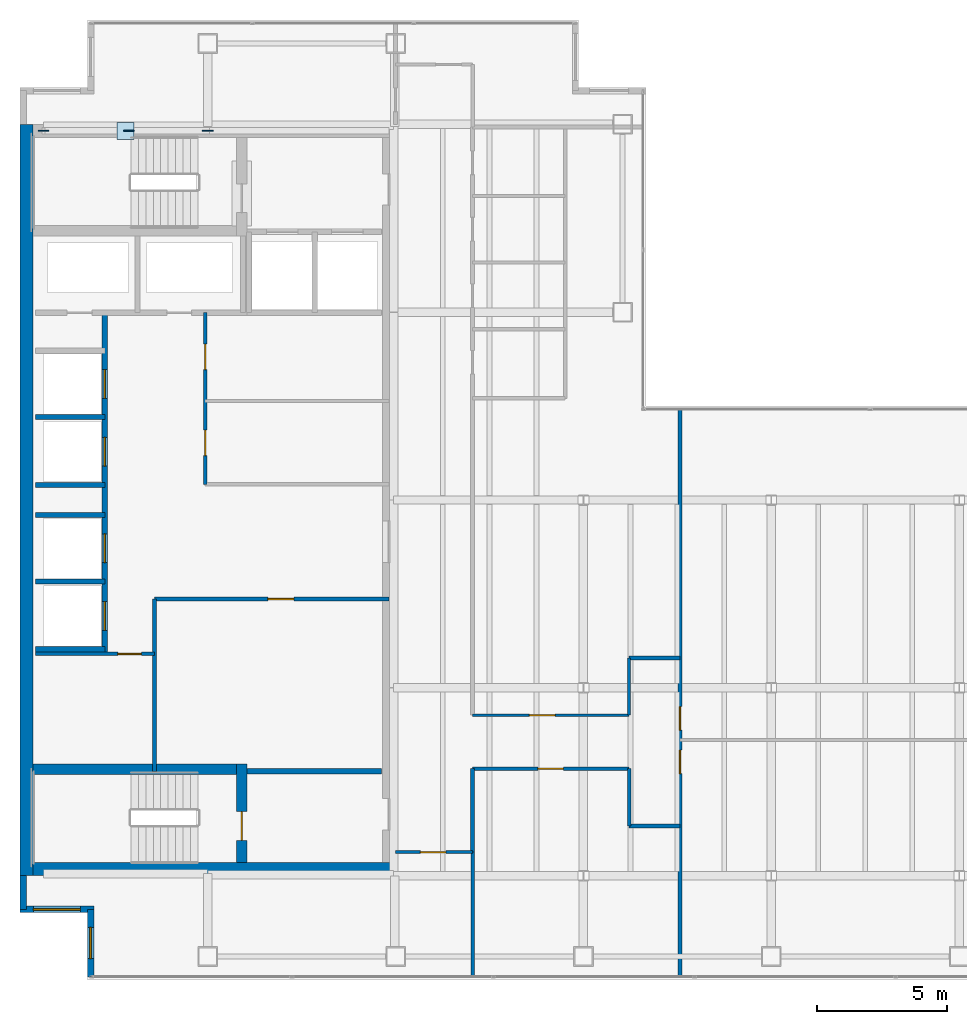
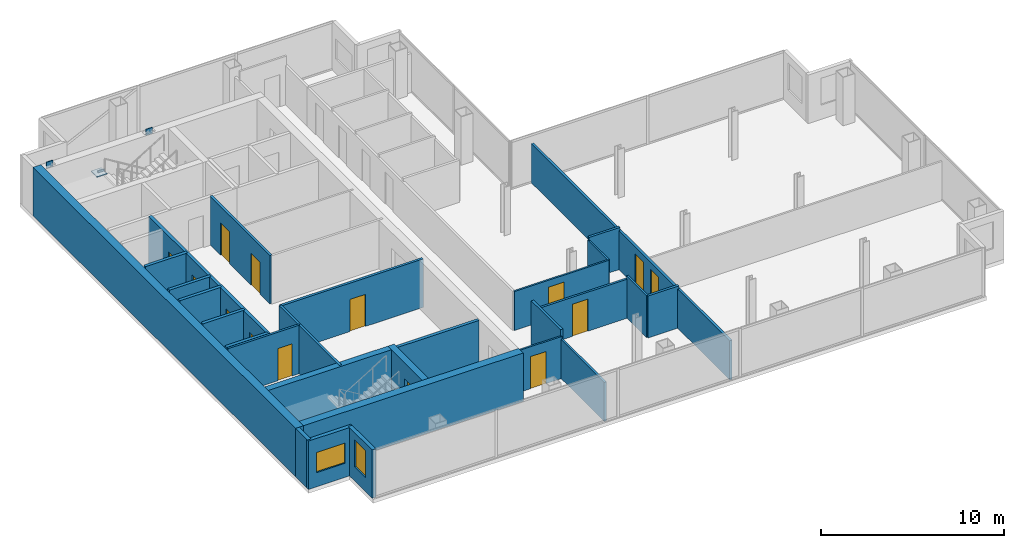
# One storey, part 20 of 23: 28 walls, 14 doors, 4 plates, 2 windows, 16 openings.
"""IFC4 building model written with IfcOpenShell, lengths in metres."""

from ifc_helpers import new_model, si_unit, direction, frame, frame_2d, origin, origin_2d, place, context, subcontext, project, spatial, rectangle, extrude, material, layer, layer_set, type_object, element, fill, save


model = new_model("IFC4")

# Units and contexts
model_context = context("Model", 3, precision=1e-05, world=origin(), true_north=direction((0.0, 1.0)))
body_context = subcontext(model_context, "Body", "Model", "MODEL_VIEW")
ifc_project = project(units=[si_unit("LENGTHUNIT", "METRE"), si_unit("AREAUNIT", "SQUARE_METRE"), si_unit("VOLUMEUNIT", "CUBIC_METRE"), si_unit("PLANEANGLEUNIT", "RADIAN"), si_unit("MASSUNIT", "GRAM", prefix="KILO")], contexts=[model_context])

# Site, building, storey
site_placement = place(None, origin())
site = spatial("IfcSite", under=ifc_project, at=site_placement, CompositionType="ELEMENT")
building_placement = place(site_placement, origin())
building = spatial("IfcBuilding", under=site, at=building_placement, Name="Cobrela Telecom Tower", CompositionType="ELEMENT")
storey_placement = place(building_placement, frame((0.0, 0.0, 204.75)))
storey = spatial("IfcBuildingStorey", under=building, at=storey_placement, Name="L52", CompositionType="ELEMENT", Elevation=204.75)

# Plates
ifc_material_1 = material(Name="Steel ASTM A572 Grade 50", Category="steel")
ifc_layer_1 = layer(ifc_material_1, 0.0419921875)
ifc_layer_set_1 = layer_set([ifc_layer_1], Name="Steel ASTM A572 Grade 50")
plate_type = type_object("IfcPlateType", Name="PLT-NODE-ND1", PredefinedType="USERDEFINED", material=ifc_layer_set_1)
for number, where, z_axis, x_axis, name in (
    (1, (7.199951171875, 35.75, 3.0751953125), (0.0, 0.0, 1.0), (1.0, 0.0, 0.0), "Steel node plate PLT-MBR-EXO-L52-N1-A-1"),
    (2, (4.173828125, 35.75, 1.349609375), (0.0, 0.0, 1.0), (-1.0, 0.0, 0.0), "Steel node plate PLT-MBR-EXO-L52-N1-B1-1"),
    (3, (0.89990234375, 35.75, 3.0751953125), (0.0, 0.0, 1.0), (-1.0, 0.0, 0.0), "Steel node plate PLT-MBR-EXO-L52-N1-B2-1"),
):
    element("IfcPlate", number, at=place(storey_placement, frame(where, z_axis=z_axis, x_axis=x_axis)), inside=storey, type_object=plate_type, Name=name, ObjectType="GUSSET PLATE", PredefinedType="USERDEFINED", context=body_context, shape_type="SweptSolid", body=[
        extrude(rectangle(XDim=0.409912109375, YDim=0.044921875, at=origin_2d()), origin(), (0.0, 0.0, 1.0), 0.409912109375),
    ])
plate_placement = place(storey_placement, frame((4.050048828125, 35.75, 1.59765625), z_axis=(0.0, 0.0, 1.0), x_axis=(1.0, 0.0, 0.0)))
element("IfcPlate", 4, at=plate_placement, inside=storey, type_object=plate_type, Name="L52 Core Flange Steel X-Brace Central X-Crossing Gusset Plate", ObjectType="GUSSET PLATE", PredefinedType="USERDEFINED", context=body_context, shape_type="SweptSolid", body=[
    extrude(rectangle(XDim=0.64990234375, YDim=0.64990234375, at=origin_2d()), origin(), (0.0, 0.0, 1.0), 0.044921875),
])

# Walls
ifc_material_2 = material(Name="Concrete C40/50", Category="concrete")
ifc_layer_2 = layer(ifc_material_2, 0.5)
ifc_layer_set_2 = layer_set([ifc_layer_2], Name="Concrete C40/50")
wall_type_1 = type_object("IfcWallType", Name="WALL-CORE-C40-500", PredefinedType="SHEAR", material=ifc_layer_set_2)
wall_1_placement = place(storey_placement, frame((0.25, 7.199951171875, 0.0), z_axis=(0.0, 0.0, 1.0), x_axis=(0.0, 1.0, 0.0)))
element("IfcWall", 5, at=wall_1_placement, inside=storey, type_object=wall_type_1, Name="L52 West Core Shear Wall", PredefinedType="SHEAR", context=body_context, shape_type="SweptSolid", body=[
    extrude(rectangle(XDim=28.800048828125, YDim=0.5, at=frame_2d((14.39990234375, 0.0))), origin(), (0.0, 0.0, 1.0), 3.239990234375),
])
wall_2_placement = place(storey_placement, frame((0.5, 7.449951171875, 0.0), z_axis=(0.0, 0.0, 1.0), x_axis=(1.0, 0.0, 0.0)))
element("IfcWall", 6, at=wall_2_placement, inside=storey, type_object=wall_type_1, Name="L52 South Core Shear Wall", PredefinedType="SHEAR", context=body_context, shape_type="SweptSolid", body=[
    extrude(rectangle(XDim=13.89990234375, YDim=0.5, at=frame_2d((6.949951171875, 0.0))), origin(), (0.0, 0.0, 1.0), 3.239990234375),
])

# Wall, opening, window
ifc_layer_3 = layer(ifc_material_2, 0.239990234375)
ifc_layer_set_3 = layer_set([ifc_layer_3], Name="Concrete C40/50")
wall_type_2 = type_object("IfcWallType", Name="WALL-EXT-300", PredefinedType="STANDARD", material=ifc_layer_set_3)
wall_3_placement = place(storey_placement, frame((2.7099609375, 3.320068359375, 0.0), z_axis=(0.0, 0.0, 1.0), x_axis=(0.0, 1.0, 0.0)))
wall_3 = element("IfcWall", 7, at=wall_3_placement, inside=storey, type_object=wall_type_2, Name="L52 Insulated Facade Wall 01", PredefinedType="STANDARD", context=body_context, shape_type="SweptSolid", body=[
    extrude(rectangle(XDim=2.58984375, YDim=0.239990234375, at=frame_2d((1.294921875, 0.0))), origin(), (0.0, 0.0, 1.0), 3.239990234375),
])
opening_1_placement = place(wall_3_placement, frame((0.695068359375, 0.0, 0.949951171875)))
opening_1 = element("IfcOpeningElement", 8, at=opening_1_placement, cuts=wall_3, Name="Opening WN-19", PredefinedType="OPENING", context=body_context, shape_type="SweptSolid", body=[
    extrude(rectangle(XDim=1.199951171875, YDim=1.800048828125, at=frame_2d((0.60009765625, 0.89990234375))), frame((0.0, 0.1318359375, 0.0), z_axis=(0.0, -1.0, 0.0), x_axis=(1.0, 0.0, 0.0)), (0.0, 0.0, 1.0), 0.263916015625),
])
ifc_material_3 = material(Name="Solar-Control Bronze Low-E Glass", Category="glass")
window_type_1 = type_object("IfcWindowType", Name="WIN-MOD-1200", PartitioningType="SINGLE_PANEL", PredefinedType="WINDOW", material=ifc_material_3)
window_1_placement = place(opening_1_placement, origin())
window_1 = element("IfcWindow", 9, at=window_1_placement, inside=storey, type_object=window_type_1, Name="L52 Corner Notch Facade Window 249", OverallHeight=1.800048828125, OverallWidth=1.199951171875, PartitioningType="SINGLE_PANEL", PredefinedType="WINDOW", context=body_context, shape_type="SweptSolid", body=[
    extrude(rectangle(XDim=1.199951171875, YDim=1.800048828125, at=frame_2d((0.60009765625, 0.89990234375))), frame((0.0, 0.030029296875, 0.0), z_axis=(0.0, -1.0, 0.0), x_axis=(1.0, 0.0, 0.0)), (0.0, 0.0, 1.0), 0.06005859375),
])
fill(opening_1, window_1)

wall_4_placement = place(storey_placement, frame((2.830078125, 5.909912109375, 0.0), z_axis=(0.0, 0.0, 1.0), x_axis=(-1.0, 0.0, 0.0)))
wall_4 = element("IfcWall", 10, at=wall_4_placement, inside=storey, type_object=wall_type_2, Name="L52 Insulated Facade Wall 02", PredefinedType="STANDARD", context=body_context, shape_type="SweptSolid", body=[
    extrude(rectangle(XDim=2.830078125, YDim=0.239990234375, at=frame_2d((1.4150390625, 0.0))), origin(), (0.0, 0.0, 1.0), 3.239990234375),
])
opening_2_placement = place(wall_4_placement, frame((0.514892578125, 0.0, 0.949951171875)))
opening_2 = element("IfcOpeningElement", 11, at=opening_2_placement, cuts=wall_4, Name="Opening WN-27", PredefinedType="OPENING", context=body_context, shape_type="SweptSolid", body=[
    extrude(rectangle(XDim=1.800048828125, YDim=1.35009765625, at=frame_2d((0.89990234375, 0.675048828125))), frame((0.0, 0.1318359375, 0.0), z_axis=(0.0, -1.0, 0.0), x_axis=(1.0, 0.0, 0.0)), (0.0, 0.0, 1.0), 0.263916015625),
])
window_type_2 = type_object("IfcWindowType", Name="WIN-CLER-1800", PartitioningType="SINGLE_PANEL", PredefinedType="WINDOW", material=ifc_material_3)
window_2_placement = place(opening_2_placement, origin())
window_2 = element("IfcWindow", 12, at=window_2_placement, inside=storey, type_object=window_type_2, Name="L52 Corner Notch Facade Window 250", OverallHeight=1.35009765625, OverallWidth=1.800048828125, PartitioningType="SINGLE_PANEL", PredefinedType="WINDOW", context=body_context, shape_type="SweptSolid", body=[
    extrude(rectangle(XDim=1.800048828125, YDim=1.35009765625, at=frame_2d((0.89990234375, 0.675048828125))), frame((0.0, 0.030029296875, 0.0), z_axis=(0.0, -1.0, 0.0), x_axis=(1.0, 0.0, 0.0)), (0.0, 0.0, 1.0), 0.06005859375),
])
fill(opening_2, window_2)

# Wall
wall_5_placement = place(storey_placement, frame((0.1201171875, 5.909912109375, 0.0), z_axis=(0.0, 0.0, 1.0), x_axis=(0.0, 1.0, 0.0)))
element("IfcWall", 13, at=wall_5_placement, inside=storey, type_object=wall_type_2, Name="L52 Insulated Facade Wall 03", PredefinedType="STANDARD", context=body_context, shape_type="SweptSolid", body=[
    extrude(rectangle(XDim=1.2900390625, YDim=0.239990234375, at=frame_2d((0.64501953125, 0.0))), origin(), (0.0, 0.0, 1.0), 3.239990234375),
])

# Wall, opening, door
ifc_material_4 = material(Name="Fire-Rated Gypsum Plasterboard")
ifc_layer_4 = layer(ifc_material_4, 0.110107421875)
ifc_layer_set_4 = layer_set([ifc_layer_4], Name="Fire-Rated Gypsum Plasterboard")
wall_type_3 = type_object("IfcWallType", Name="WALL-PART-110", PredefinedType="PARTITIONING", material=ifc_layer_set_4)
wall_6_placement = place(storey_placement, frame((14.39990234375, 8.10009765625, 0.0), z_axis=(0.0, 0.0, 1.0), x_axis=(1.0, 0.0, 0.0)))
wall_6 = element("IfcWall", 14, at=wall_6_placement, inside=storey, type_object=wall_type_3, Name="L52 Interior Partition W-C-S0", PredefinedType="PARTITIONING", context=body_context, shape_type="SweptSolid", body=[
    extrude(rectangle(XDim=2.9501953125, YDim=0.110107421875, at=frame_2d((1.47509765625, 0.0))), origin(), (0.0, 0.0, 1.0), 2.80810546875),
])
opening_3_placement = place(wall_6_placement, frame((0.949951171875, 0.0, 0.0)))
opening_3 = element("IfcOpeningElement", 15, at=opening_3_placement, cuts=wall_6, Name="Opening DR-17", PredefinedType="OPENING", context=body_context, shape_type="SweptSolid", body=[
    extrude(rectangle(XDim=0.97998046875, YDim=2.14990234375, at=frame_2d((0.489990234375, 1.074951171875))), frame((0.0, 0.06689453125, 0.0), z_axis=(0.0, -1.0, 0.0), x_axis=(1.0, 0.0, 0.0)), (0.0, 0.0, 1.0), 0.134033203125),
])
ifc_material_5 = material(Name="Solid Engineered Oak Timber", Category="wood")
door_type_1 = type_object("IfcDoorType", Name="DOOR-INT-980", OperationType="SINGLE_SWING_LEFT", PredefinedType="DOOR", material=ifc_material_5)
door_1_placement = place(opening_3_placement, origin())
door_1 = element("IfcDoor", 16, at=door_1_placement, inside=storey, type_object=door_type_1, Name="L52 Door DR-17", OperationType="SINGLE_SWING_RIGHT", OverallHeight=2.14990234375, OverallWidth=0.97998046875, PredefinedType="DOOR", context=body_context, shape_type="SweptSolid", body=[
    extrude(rectangle(XDim=0.97998046875, YDim=2.14990234375, at=frame_2d((0.489990234375, 1.074951171875))), frame((0.0, 0.02490234375, 0.0), z_axis=(0.0, -1.0, 0.0), x_axis=(1.0, 0.0, 0.0)), (0.0, 0.0, 1.0), 0.050048828125),
])
fill(opening_3, door_1)

wall_7_placement = place(storey_placement, frame((17.35009765625, 13.35009765625, 0.0), z_axis=(0.0, 0.0, 1.0), x_axis=(1.0, 0.0, 0.0)))
wall_7 = element("IfcWall", 17, at=wall_7_placement, inside=storey, type_object=wall_type_3, Name="L52 Interior Partition W-C-HN", PredefinedType="PARTITIONING", context=body_context, shape_type="SweptSolid", body=[
    extrude(rectangle(XDim=6.0, YDim=0.110107421875, at=frame_2d((3.0, 0.0))), origin(), (0.0, 0.0, 1.0), 2.613037109375),
])
opening_4_placement = place(wall_7_placement, frame((2.179931640625, 0.0, 0.0)))
opening_4 = element("IfcOpeningElement", 18, at=opening_4_placement, cuts=wall_7, Name="Opening DR-17", PredefinedType="OPENING", context=body_context, shape_type="SweptSolid", body=[
    extrude(rectangle(XDim=0.97998046875, YDim=2.14990234375, at=frame_2d((0.489990234375, 1.074951171875))), frame((0.0, 0.06689453125, 0.0), z_axis=(0.0, -1.0, 0.0), x_axis=(1.0, 0.0, 0.0)), (0.0, 0.0, 1.0), 0.134033203125),
])
door_2_placement = place(opening_4_placement, origin())
door_2 = element("IfcDoor", 19, at=door_2_placement, inside=storey, type_object=door_type_1, Name="L52 Door DR-17", OperationType="SINGLE_SWING_LEFT", OverallHeight=2.14990234375, OverallWidth=0.97998046875, PredefinedType="DOOR", context=body_context, shape_type="SweptSolid", body=[
    extrude(rectangle(XDim=0.97998046875, YDim=2.14990234375, at=frame_2d((0.489990234375, 1.074951171875))), frame((0.0, 0.02490234375, 0.0), z_axis=(0.0, -1.0, 0.0), x_axis=(1.0, 0.0, 0.0)), (0.0, 0.0, 1.0), 0.050048828125),
])
fill(opening_4, door_2)

# Wall
wall_8_placement = place(storey_placement, frame((23.35009765625, 13.35009765625, 0.0), z_axis=(0.0, 0.0, 1.0), x_axis=(0.0, 1.0, 0.0)))
element("IfcWall", 20, at=wall_8_placement, inside=storey, type_object=wall_type_3, Name="L52 Interior Partition W-CT-JW2", PredefinedType="PARTITIONING", context=body_context, shape_type="SweptSolid", body=[
    extrude(rectangle(XDim=2.199951171875, YDim=0.110107421875, at=frame_2d((1.10009765625, 0.0))), origin(), (0.0, 0.0, 1.0), 2.613037109375),
])

# Wall, opening, door
ifc_layer_5 = layer(ifc_material_4, 0.135009765625)
ifc_layer_set_5 = layer_set([ifc_layer_5], Name="Fire-Rated Gypsum Plasterboard")
wall_type_4 = type_object("IfcWallType", Name="WALL-PART-135", PredefinedType="PARTITIONING", material=ifc_layer_set_5)
wall_9_placement = place(storey_placement, frame((0.60009765625, 15.699951171875, 0.0), z_axis=(0.0, 0.0, 1.0), x_axis=(1.0, 0.0, 0.0)))
wall_9 = element("IfcWall", 21, at=wall_9_placement, inside=storey, type_object=wall_type_4, Name="L52 Interior Partition CW-FLEX-N", PredefinedType="PARTITIONING", context=body_context, shape_type="SweptSolid", body=[
    extrude(rectangle(XDim=4.5498046875, YDim=0.135009765625, at=frame_2d((2.27490234375, 0.0))), origin(), (0.0, 0.0, 1.0), 3.239990234375),
])
opening_5_placement = place(wall_9_placement, frame((3.14990234375, 0.0, 0.0)))
opening_5 = element("IfcOpeningElement", 22, at=opening_5_placement, cuts=wall_9, Name="Opening DR-41", PredefinedType="OPENING", context=body_context, shape_type="SweptSolid", body=[
    extrude(rectangle(XDim=0.89990234375, YDim=2.14990234375, at=frame_2d((0.449951171875, 1.074951171875))), frame((0.0, 0.07958984375, 0.0), z_axis=(0.0, -1.0, 0.0), x_axis=(1.0, 0.0, 0.0)), (0.0, 0.0, 1.0), 0.158935546875),
])
door_type_2 = type_object("IfcDoorType", Name="DOOR-INT-900", OperationType="SINGLE_SWING_LEFT", PredefinedType="DOOR", material=ifc_material_5)
door_3_placement = place(opening_5_placement, origin())
door_3 = element("IfcDoor", 23, at=door_3_placement, inside=storey, type_object=door_type_2, Name="L52 Door DR-41", OperationType="SINGLE_SWING_LEFT", OverallHeight=2.14990234375, OverallWidth=0.89990234375, PredefinedType="DOOR", context=body_context, shape_type="SweptSolid", body=[
    extrude(rectangle(XDim=0.89990234375, YDim=2.14990234375, at=frame_2d((0.449951171875, 1.074951171875))), frame((0.0, 0.02490234375, 0.0), z_axis=(0.0, -1.0, 0.0), x_axis=(1.0, 0.0, 0.0)), (0.0, 0.0, 1.0), 0.050048828125),
])
fill(opening_5, door_3)

wall_10_placement = place(storey_placement, frame((17.35009765625, 11.300048828125, 0.0), z_axis=(0.0, 0.0, 1.0), x_axis=(1.0, 0.0, 0.0)))
wall_10 = element("IfcWall", 24, at=wall_10_placement, inside=storey, type_object=wall_type_4, Name="L52 Interior Partition W-C-HS", PredefinedType="PARTITIONING", context=body_context, shape_type="SweptSolid", body=[
    extrude(rectangle(XDim=6.0, YDim=0.135009765625, at=frame_2d((3.0, 0.0))), origin(), (0.0, 0.0, 1.0), 2.613037109375),
])
opening_6_placement = place(wall_10_placement, frame((2.5, 0.0, 0.0)))
opening_6 = element("IfcOpeningElement", 25, at=opening_6_placement, cuts=wall_10, Name="Opening DR-17", PredefinedType="OPENING", context=body_context, shape_type="SweptSolid", body=[
    extrude(rectangle(XDim=0.97998046875, YDim=2.14990234375, at=frame_2d((0.489990234375, 1.074951171875))), frame((0.0, 0.07958984375, 0.0), z_axis=(0.0, -1.0, 0.0), x_axis=(1.0, 0.0, 0.0)), (0.0, 0.0, 1.0), 0.158935546875),
])
door_4_placement = place(opening_6_placement, origin())
door_4 = element("IfcDoor", 26, at=door_4_placement, inside=storey, type_object=door_type_1, Name="L52 Door DR-17", OperationType="SINGLE_SWING_LEFT", OverallHeight=2.14990234375, OverallWidth=0.97998046875, PredefinedType="DOOR", context=body_context, shape_type="SweptSolid", body=[
    extrude(rectangle(XDim=0.97998046875, YDim=2.14990234375, at=frame_2d((0.489990234375, 1.074951171875))), frame((0.0, 0.02490234375, 0.0), z_axis=(0.0, -1.0, 0.0), x_axis=(1.0, 0.0, 0.0)), (0.0, 0.0, 1.0), 0.050048828125),
])
fill(opening_6, door_4)

# Walls
wall_11_placement = place(storey_placement, frame((23.35009765625, 9.10009765625, 0.0), z_axis=(0.0, 0.0, 1.0), x_axis=(0.0, 1.0, 0.0)))
element("IfcWall", 27, at=wall_11_placement, inside=storey, type_object=wall_type_4, Name="L52 Interior Partition W-CT-JW1", PredefinedType="PARTITIONING", context=body_context, shape_type="SweptSolid", body=[
    extrude(rectangle(XDim=2.199951171875, YDim=0.135009765625, at=frame_2d((1.10009765625, 0.0))), origin(), (0.0, 0.0, 1.0), 2.80810546875),
])
wall_12_placement = place(storey_placement, frame((17.35009765625, 3.320068359375, 0.0), z_axis=(0.0, 0.0, 1.0), x_axis=(0.0, 1.0, 0.0)))
element("IfcWall", 28, at=wall_12_placement, inside=storey, type_object=wall_type_4, Name="L52 Interior Partition W-SW-E", PredefinedType="PARTITIONING", context=body_context, shape_type="SweptSolid", body=[
    extrude(rectangle(XDim=4.780029296875, YDim=0.135009765625, at=frame_2d((2.39013671875, 0.0))), origin(), (0.0, 0.0, 1.0), 2.613037109375),
])

# Wall, openings, doors
ifc_layer_6 = layer(ifc_material_4, 0.14990234375)
ifc_layer_set_6 = layer_set([ifc_layer_6], Name="Fire-Rated Gypsum Plasterboard")
wall_type_5 = type_object("IfcWallType", Name="WALL-PART-150", PredefinedType="PARTITIONING", material=ifc_layer_set_6)
wall_13_placement = place(storey_placement, frame((7.10009765625, 22.199951171875, 0.0), z_axis=(0.0, 0.0, 1.0), x_axis=(0.0, 1.0, 0.0)))
wall_13 = element("IfcWall", 29, at=wall_13_placement, inside=storey, type_object=wall_type_5, Name="L52 Interior Partition CW-RECL-W", PredefinedType="PARTITIONING", context=body_context, shape_type="SweptSolid", body=[
    extrude(rectangle(XDim=6.580078125, YDim=0.14990234375, at=frame_2d((3.2900390625, 0.0))), origin(), (0.0, 0.0, 1.0), 3.239990234375),
])
opening_7_placement = place(wall_13_placement, frame((1.10009765625, 0.0, 0.0)))
opening_7 = element("IfcOpeningElement", 30, at=opening_7_placement, cuts=wall_13, Name="Opening DR-17", PredefinedType="OPENING", context=body_context, shape_type="SweptSolid", body=[
    extrude(rectangle(XDim=0.97998046875, YDim=2.14990234375, at=frame_2d((0.489990234375, 1.074951171875))), frame((0.0, 0.0869140625, 0.0), z_axis=(0.0, -1.0, 0.0), x_axis=(1.0, 0.0, 0.0)), (0.0, 0.0, 1.0), 0.173828125),
])
opening_8_placement = place(wall_13_placement, frame((4.39990234375, 0.0, 0.0)))
opening_8 = element("IfcOpeningElement", 31, at=opening_8_placement, cuts=wall_13, Name="Opening DR-17", PredefinedType="OPENING", context=body_context, shape_type="SweptSolid", body=[
    extrude(rectangle(XDim=0.97998046875, YDim=2.14990234375, at=frame_2d((0.489990234375, 1.074951171875))), frame((0.0, 0.0869140625, 0.0), z_axis=(0.0, -1.0, 0.0), x_axis=(1.0, 0.0, 0.0)), (0.0, 0.0, 1.0), 0.173828125),
])
door_5_placement = place(opening_7_placement, origin())
door_5 = element("IfcDoor", 32, at=door_5_placement, inside=storey, type_object=door_type_1, Name="L52 Door DR-17", OperationType="SINGLE_SWING_RIGHT", OverallHeight=2.14990234375, OverallWidth=0.97998046875, PredefinedType="DOOR", context=body_context, shape_type="SweptSolid", body=[
    extrude(rectangle(XDim=0.97998046875, YDim=2.14990234375, at=frame_2d((0.489990234375, 1.074951171875))), frame((0.0, 0.02490234375, 0.0), z_axis=(0.0, -1.0, 0.0), x_axis=(1.0, 0.0, 0.0)), (0.0, 0.0, 1.0), 0.050048828125),
])
fill(opening_7, door_5)
door_6_placement = place(opening_8_placement, origin())
door_6 = element("IfcDoor", 33, at=door_6_placement, inside=storey, type_object=door_type_1, Name="L52 Door DR-17", OperationType="SINGLE_SWING_LEFT", OverallHeight=2.14990234375, OverallWidth=0.97998046875, PredefinedType="DOOR", context=body_context, shape_type="SweptSolid", body=[
    extrude(rectangle(XDim=0.97998046875, YDim=2.14990234375, at=frame_2d((0.489990234375, 1.074951171875))), frame((0.0, 0.02490234375, 0.0), z_axis=(0.0, -1.0, 0.0), x_axis=(1.0, 0.0, 0.0)), (0.0, 0.0, 1.0), 0.050048828125),
])
fill(opening_8, door_6)

# Walls
wall_14_placement = place(storey_placement, frame((5.14990234375, 11.199951171875, 0.0), z_axis=(0.0, 0.0, 1.0), x_axis=(0.0, 1.0, 0.0)))
element("IfcWall", 34, at=wall_14_placement, inside=storey, type_object=wall_type_5, Name="L52 Interior Partition CW-RECM-W", PredefinedType="PARTITIONING", context=body_context, shape_type="SweptSolid", body=[
    extrude(rectangle(XDim=6.60009765625, YDim=0.14990234375, at=frame_2d((3.300048828125, 0.0))), origin(), (0.0, 0.0, 1.0), 3.239990234375),
])
wall_15_placement = place(storey_placement, frame((23.35009765625, 15.550048828125, 0.0), z_axis=(0.0, 0.0, 1.0), x_axis=(1.0, 0.0, 0.0)))
element("IfcWall", 35, at=wall_15_placement, inside=storey, type_object=wall_type_5, Name="L52 Interior Partition W-CT-N", PredefinedType="PARTITIONING", context=body_context, shape_type="SweptSolid", body=[
    extrude(rectangle(XDim=1.949951171875, YDim=0.14990234375, at=frame_2d((0.97509765625, 0.0))), origin(), (0.0, 0.0, 1.0), 2.80810546875),
])

# Wall, opening, door
ifc_layer_7 = layer(ifc_material_4, 0.159912109375)
ifc_layer_set_7 = layer_set([ifc_layer_7], Name="Fire-Rated Gypsum Plasterboard")
wall_type_6 = type_object("IfcWallType", Name="WALL-PART-160", PredefinedType="PARTITIONING", material=ifc_layer_set_7)
wall_16_placement = place(storey_placement, frame((5.14990234375, 17.800048828125, 0.0), z_axis=(0.0, 0.0, 1.0), x_axis=(1.0, 0.0, 0.0)))
wall_16 = element("IfcWall", 36, at=wall_16_placement, inside=storey, type_object=wall_type_6, Name="L52 Interior Partition CW-RECM-N", PredefinedType="PARTITIONING", context=body_context, shape_type="SweptSolid", body=[
    extrude(rectangle(XDim=9.0, YDim=0.159912109375, at=frame_2d((4.5, 0.0))), origin(), (0.0, 0.0, 1.0), 3.239990234375),
])
opening_9_placement = place(wall_16_placement, frame((4.35009765625, 0.0, 0.0)))
opening_9 = element("IfcOpeningElement", 37, at=opening_9_placement, cuts=wall_16, Name="Opening DR-31", PredefinedType="OPENING", context=body_context, shape_type="SweptSolid", body=[
    extrude(rectangle(XDim=1.0, YDim=2.14990234375, at=frame_2d((0.5, 1.074951171875))), frame((0.0, 0.091796875, 0.0), z_axis=(0.0, -1.0, 0.0), x_axis=(1.0, 0.0, 0.0)), (0.0, 0.0, 1.0), 0.183837890625),
])
door_type_3 = type_object("IfcDoorType", Name="DOOR-INT-1000", OperationType="SINGLE_SWING_LEFT", PredefinedType="DOOR", material=ifc_material_5)
door_7_placement = place(opening_9_placement, origin())
door_7 = element("IfcDoor", 38, at=door_7_placement, inside=storey, type_object=door_type_3, Name="L52 Door DR-31", OperationType="SINGLE_SWING_LEFT", OverallHeight=2.14990234375, OverallWidth=1.0, PredefinedType="DOOR", context=body_context, shape_type="SweptSolid", body=[
    extrude(rectangle(XDim=1.0, YDim=2.14990234375, at=frame_2d((0.5, 1.074951171875))), frame((0.0, 0.02490234375, 0.0), z_axis=(0.0, -1.0, 0.0), x_axis=(1.0, 0.0, 0.0)), (0.0, 0.0, 1.0), 0.050048828125),
])
fill(opening_9, door_7)

# Walls
wall_17_placement = place(storey_placement, frame((17.35009765625, 8.10009765625, 0.0), z_axis=(0.0, 0.0, 1.0), x_axis=(0.0, 1.0, 0.0)))
element("IfcWall", 39, at=wall_17_placement, inside=storey, type_object=wall_type_6, Name="L52 Interior Partition W-C-E1", PredefinedType="PARTITIONING", context=body_context, shape_type="SweptSolid", body=[
    extrude(rectangle(XDim=3.199951171875, YDim=0.159912109375, at=frame_2d((1.60009765625, 0.0))), origin(), (0.0, 0.0, 1.0), 3.239990234375),
])
wall_18_placement = place(storey_placement, frame((23.35009765625, 9.10009765625, 0.0), z_axis=(0.0, 0.0, 1.0), x_axis=(1.0, 0.0, 0.0)))
element("IfcWall", 40, at=wall_18_placement, inside=storey, type_object=wall_type_6, Name="L52 Interior Partition W-CT-S", PredefinedType="PARTITIONING", context=body_context, shape_type="SweptSolid", body=[
    extrude(rectangle(XDim=1.949951171875, YDim=0.159912109375, at=frame_2d((0.97509765625, 0.0))), origin(), (0.0, 0.0, 1.0), 2.80810546875),
])

# Wall, openings, doors
wall_19_placement = place(storey_placement, frame((25.300048828125, 3.320068359375, 0.0), z_axis=(0.0, 0.0, 1.0), x_axis=(0.0, 1.0, 0.0)))
wall_19 = element("IfcWall", 41, at=wall_19_placement, inside=storey, type_object=wall_type_6, Name="L52 Interior Partition W-C-END", PredefinedType="PARTITIONING", context=body_context, shape_type="SweptSolid", body=[
    extrude(rectangle(XDim=21.760009765625, YDim=0.159912109375, at=frame_2d((10.8798828125, 0.0))), origin(), (0.0, 0.0, 1.0), 2.613037109375),
])
opening_10_placement = place(wall_19_placement, frame((7.7900390625, 0.0, 0.0)))
opening_10 = element("IfcOpeningElement", 42, at=opening_10_placement, cuts=wall_19, Name="Opening DR-41", PredefinedType="OPENING", context=body_context, shape_type="SweptSolid", body=[
    extrude(rectangle(XDim=0.89990234375, YDim=2.14990234375, at=frame_2d((0.449951171875, 1.074951171875))), frame((0.0, 0.091796875, 0.0), z_axis=(0.0, -1.0, 0.0), x_axis=(1.0, 0.0, 0.0)), (0.0, 0.0, 1.0), 0.183837890625),
])
opening_11_placement = place(wall_19_placement, frame((9.4599609375, 0.0, 0.0)))
opening_11 = element("IfcOpeningElement", 43, at=opening_11_placement, cuts=wall_19, Name="Opening DR-41", PredefinedType="OPENING", context=body_context, shape_type="SweptSolid", body=[
    extrude(rectangle(XDim=0.89990234375, YDim=2.14990234375, at=frame_2d((0.449951171875, 1.074951171875))), frame((0.0, 0.091796875, 0.0), z_axis=(0.0, -1.0, 0.0), x_axis=(1.0, 0.0, 0.0)), (0.0, 0.0, 1.0), 0.183837890625),
])
door_8_placement = place(opening_10_placement, origin())
door_8 = element("IfcDoor", 44, at=door_8_placement, inside=storey, type_object=door_type_2, Name="L52 Door DR-41", OperationType="SINGLE_SWING_LEFT", OverallHeight=2.14990234375, OverallWidth=0.89990234375, PredefinedType="DOOR", context=body_context, shape_type="SweptSolid", body=[
    extrude(rectangle(XDim=0.89990234375, YDim=2.14990234375, at=frame_2d((0.449951171875, 1.074951171875))), frame((0.0, 0.02490234375, 0.0), z_axis=(0.0, -1.0, 0.0), x_axis=(1.0, 0.0, 0.0)), (0.0, 0.0, 1.0), 0.050048828125),
])
fill(opening_10, door_8)
door_9_placement = place(opening_11_placement, origin())
door_9 = element("IfcDoor", 45, at=door_9_placement, inside=storey, type_object=door_type_2, Name="L52 Door DR-41", OperationType="SINGLE_SWING_RIGHT", OverallHeight=2.14990234375, OverallWidth=0.89990234375, PredefinedType="DOOR", context=body_context, shape_type="SweptSolid", body=[
    extrude(rectangle(XDim=0.89990234375, YDim=2.14990234375, at=frame_2d((0.449951171875, 1.074951171875))), frame((0.0, 0.02490234375, 0.0), z_axis=(0.0, -1.0, 0.0), x_axis=(1.0, 0.0, 0.0)), (0.0, 0.0, 1.0), 0.050048828125),
])
fill(opening_11, door_9)

# Wall
ifc_layer_8 = layer(ifc_material_4, 0.199951171875)
ifc_layer_set_8 = layer_set([ifc_layer_8], Name="Fire-Rated Gypsum Plasterboard")
wall_type_7 = type_object("IfcWallType", Name="WALL-SHAFT-200", PredefinedType="PARTITIONING", material=ifc_layer_set_8)
wall_20_placement = place(storey_placement, frame((8.699951171875, 11.199951171875, 0.0), z_axis=(0.0, 0.0, 1.0), x_axis=(1.0, 0.0, 0.0)))
element("IfcWall", 46, at=wall_20_placement, inside=storey, type_object=wall_type_7, Name="L52 Shaft Enclosure CW-ST2L-N", PredefinedType="PARTITIONING", context=body_context, shape_type="SweptSolid", body=[
    extrude(rectangle(XDim=5.150146484375, YDim=0.199951171875, at=frame_2d((2.5751953125, 0.0))), origin(), (0.0, 0.0, 1.0), 3.239990234375),
])

# Wall, openings, doors
wall_21_placement = place(storey_placement, frame((3.25, 15.699951171875, 0.0), z_axis=(0.0, 0.0, 1.0), x_axis=(0.0, 1.0, 0.0)))
wall_21 = element("IfcWall", 47, at=wall_21_placement, inside=storey, type_object=wall_type_7, Name="L52 Shaft Enclosure CW-PLH-E", PredefinedType="PARTITIONING", context=body_context, shape_type="SweptSolid", body=[
    extrude(rectangle(XDim=13.080078125, YDim=0.199951171875, at=frame_2d((6.5400390625, 0.0))), origin(), (0.0, 0.0, 1.0), 3.239990234375),
])
opening_12_placement = place(wall_21_placement, frame((0.89990234375, 0.0, 0.0)))
opening_12 = element("IfcOpeningElement", 48, at=opening_12_placement, cuts=wall_21, Name="Opening LD-1", PredefinedType="OPENING", context=body_context, shape_type="SweptSolid", body=[
    extrude(rectangle(XDim=1.10009765625, YDim=2.199951171875, at=frame_2d((0.550048828125, 1.10009765625))), frame((0.0, 0.11181640625, 0.0), z_axis=(0.0, -1.0, 0.0), x_axis=(1.0, 0.0, 0.0)), (0.0, 0.0, 1.0), 0.223876953125),
])
opening_13_placement = place(wall_21_placement, frame((3.5, 0.0, 0.0)))
opening_13 = element("IfcOpeningElement", 49, at=opening_13_placement, cuts=wall_21, Name="Opening LD-1", PredefinedType="OPENING", context=body_context, shape_type="SweptSolid", body=[
    extrude(rectangle(XDim=1.10009765625, YDim=2.199951171875, at=frame_2d((0.550048828125, 1.10009765625))), frame((0.0, 0.11181640625, 0.0), z_axis=(0.0, -1.0, 0.0), x_axis=(1.0, 0.0, 0.0)), (0.0, 0.0, 1.0), 0.223876953125),
])
opening_14_placement = place(wall_21_placement, frame((7.199951171875, 0.0, 0.0)))
opening_14 = element("IfcOpeningElement", 50, at=opening_14_placement, cuts=wall_21, Name="Opening LD-1", PredefinedType="OPENING", context=body_context, shape_type="SweptSolid", body=[
    extrude(rectangle(XDim=1.10009765625, YDim=2.199951171875, at=frame_2d((0.550048828125, 1.10009765625))), frame((0.0, 0.11181640625, 0.0), z_axis=(0.0, -1.0, 0.0), x_axis=(1.0, 0.0, 0.0)), (0.0, 0.0, 1.0), 0.223876953125),
])
opening_15_placement = place(wall_21_placement, frame((9.800048828125, 0.0, 0.0)))
opening_15 = element("IfcOpeningElement", 51, at=opening_15_placement, cuts=wall_21, Name="Opening LD-1", PredefinedType="OPENING", context=body_context, shape_type="SweptSolid", body=[
    extrude(rectangle(XDim=1.10009765625, YDim=2.199951171875, at=frame_2d((0.550048828125, 1.10009765625))), frame((0.0, 0.11181640625, 0.0), z_axis=(0.0, -1.0, 0.0), x_axis=(1.0, 0.0, 0.0)), (0.0, 0.0, 1.0), 0.223876953125),
])
ifc_material_6 = material(Name="Steel ASTM A36", Category="steel")
door_type_4 = type_object("IfcDoorType", Name="DOOR-LD-PL", OperationType="SINGLE_SWING_LEFT", PredefinedType="DOOR", material=ifc_material_6)
door_10_placement = place(opening_12_placement, origin())
door_10 = element("IfcDoor", 52, at=door_10_placement, inside=storey, type_object=door_type_4, Name="L52 Lift Landing Door LD-1", OperationType="DOUBLE_DOOR_SLIDING", OverallHeight=2.199951171875, OverallWidth=1.10009765625, PredefinedType="DOOR", context=body_context, shape_type="SweptSolid", body=[
    extrude(rectangle(XDim=1.10009765625, YDim=2.199951171875, at=frame_2d((0.550048828125, 1.10009765625))), frame((0.0, 0.02490234375, 0.0), z_axis=(0.0, -1.0, 0.0), x_axis=(1.0, 0.0, 0.0)), (0.0, 0.0, 1.0), 0.050048828125),
])
fill(opening_12, door_10)
door_11_placement = place(opening_13_placement, origin())
door_11 = element("IfcDoor", 53, at=door_11_placement, inside=storey, type_object=door_type_4, Name="L52 Lift Landing Door LD-1", OperationType="DOUBLE_DOOR_SLIDING", OverallHeight=2.199951171875, OverallWidth=1.10009765625, PredefinedType="DOOR", context=body_context, shape_type="SweptSolid", body=[
    extrude(rectangle(XDim=1.10009765625, YDim=2.199951171875, at=frame_2d((0.550048828125, 1.10009765625))), frame((0.0, 0.02490234375, 0.0), z_axis=(0.0, -1.0, 0.0), x_axis=(1.0, 0.0, 0.0)), (0.0, 0.0, 1.0), 0.050048828125),
])
fill(opening_13, door_11)
door_12_placement = place(opening_14_placement, origin())
door_12 = element("IfcDoor", 54, at=door_12_placement, inside=storey, type_object=door_type_4, Name="L52 Lift Landing Door LD-1", OperationType="DOUBLE_DOOR_SLIDING", OverallHeight=2.199951171875, OverallWidth=1.10009765625, PredefinedType="DOOR", context=body_context, shape_type="SweptSolid", body=[
    extrude(rectangle(XDim=1.10009765625, YDim=2.199951171875, at=frame_2d((0.550048828125, 1.10009765625))), frame((0.0, 0.02490234375, 0.0), z_axis=(0.0, -1.0, 0.0), x_axis=(1.0, 0.0, 0.0)), (0.0, 0.0, 1.0), 0.050048828125),
])
fill(opening_14, door_12)
door_13_placement = place(opening_15_placement, origin())
door_13 = element("IfcDoor", 55, at=door_13_placement, inside=storey, type_object=door_type_4, Name="L52 Lift Landing Door LD-1", OperationType="DOUBLE_DOOR_SLIDING", OverallHeight=2.199951171875, OverallWidth=1.10009765625, PredefinedType="DOOR", context=body_context, shape_type="SweptSolid", body=[
    extrude(rectangle(XDim=1.10009765625, YDim=2.199951171875, at=frame_2d((0.550048828125, 1.10009765625))), frame((0.0, 0.02490234375, 0.0), z_axis=(0.0, -1.0, 0.0), x_axis=(1.0, 0.0, 0.0)), (0.0, 0.0, 1.0), 0.050048828125),
])
fill(opening_15, door_13)

# Walls
for number, where, z_axis, x_axis, name in (
    (56, (0.60009765625, 15.8798828125, 0.0), (0.0, 0.0, 1.0), (1.0, 0.0, 0.0), "L52 Shaft Enclosure CW-PLH-D9"),
    (57, (0.60009765625, 18.47998046875, 0.0), (0.0, 0.0, 1.0), (1.0, 0.0, 0.0), "L52 Shaft Enclosure CW-PLH-D10"),
    (58, (0.60009765625, 22.179931640625, 0.0), (0.0, 0.0, 1.0), (1.0, 0.0, 0.0), "L52 Shaft Enclosure CW-PLH-D11"),
    (59, (0.60009765625, 24.780029296875, 0.0), (0.0, 0.0, 1.0), (1.0, 0.0, 0.0), "L52 Shaft Enclosure CW-PLH-D12"),
    (60, (0.60009765625, 21.02001953125, 0.0), (0.0, 0.0, 1.0), (1.0, 0.0, 0.0), "L52 Shaft Enclosure CW-PLH-MID"),
):
    element("IfcWall", number, at=place(storey_placement, frame(where, z_axis=z_axis, x_axis=x_axis)), inside=storey, type_object=wall_type_7, Name=name, PredefinedType="PARTITIONING", context=body_context, shape_type="SweptSolid", body=[
        extrude(rectangle(XDim=2.64990234375, YDim=0.199951171875, at=frame_2d((1.324951171875, 0.0))), origin(), (0.0, 0.0, 1.0), 3.239990234375),
    ])
ifc_layer_9 = layer(ifc_material_2, 0.39990234375)
ifc_layer_set_9 = layer_set([ifc_layer_9], Name="Concrete C40/50")
wall_type_8 = type_object("IfcWallType", Name="WALL-SHAFT-C40-400", PredefinedType="SHEAR", material=ifc_layer_set_9)
wall_22_placement = place(storey_placement, frame((0.5, 11.280029296875, 0.0), z_axis=(0.0, 0.0, 1.0), x_axis=(1.0, 0.0, 0.0)))
element("IfcWall", 61, at=wall_22_placement, inside=storey, type_object=wall_type_8, Name="L52 South Stair Shear Wall", PredefinedType="SHEAR", context=body_context, shape_type="SweptSolid", body=[
    extrude(rectangle(XDim=7.800048828125, YDim=0.39990234375, at=frame_2d((3.89990234375, 0.0))), origin(), (0.0, 0.0, 1.0), 3.239990234375),
])

# Wall, opening, door
wall_23_placement = place(storey_placement, frame((8.5, 7.699951171875, 0.0), z_axis=(0.0, 0.0, 1.0), x_axis=(0.0, 1.0, 0.0)))
wall_23 = element("IfcWall", 62, at=wall_23_placement, inside=storey, type_object=wall_type_8, Name="L52 South Stair Lobby Shear Wall", PredefinedType="SHEAR", context=body_context, shape_type="SweptSolid", body=[
    extrude(rectangle(XDim=3.780029296875, YDim=0.39990234375, at=frame_2d((1.89013671875, 0.0))), origin(), (0.0, 0.0, 1.0), 3.239990234375),
])
opening_16_placement = place(wall_23_placement, frame((0.85009765625, 0.0, 0.0)))
opening_16 = element("IfcOpeningElement", 63, at=opening_16_placement, cuts=wall_23, Name="Opening FD-90", PredefinedType="OPENING", context=body_context, shape_type="SweptSolid", body=[
    extrude(rectangle(XDim=1.10009765625, YDim=2.14990234375, at=frame_2d((0.550048828125, 1.074951171875))), frame((0.0, 0.2119140625, 0.0), z_axis=(0.0, -1.0, 0.0), x_axis=(1.0, 0.0, 0.0)), (0.0, 0.0, 1.0), 0.423828125),
])
door_type_5 = type_object("IfcDoorType", Name="DOOR-FD90-1100", OperationType="SINGLE_SWING_LEFT", PredefinedType="DOOR", material=ifc_material_6)
door_14_placement = place(opening_16_placement, origin())
door_14 = element("IfcDoor", 64, at=door_14_placement, inside=storey, type_object=door_type_5, Name="L52 Door FD-90", OperationType="SINGLE_SWING_LEFT", OverallHeight=2.14990234375, OverallWidth=1.10009765625, PredefinedType="DOOR", context=body_context, shape_type="SweptSolid", body=[
    extrude(rectangle(XDim=1.10009765625, YDim=2.14990234375, at=frame_2d((0.550048828125, 1.074951171875))), frame((0.0, 0.02490234375, 0.0), z_axis=(0.0, -1.0, 0.0), x_axis=(1.0, 0.0, 0.0)), (0.0, 0.0, 1.0), 0.050048828125),
])
fill(opening_16, door_14)

save(model, "model.ifc")
